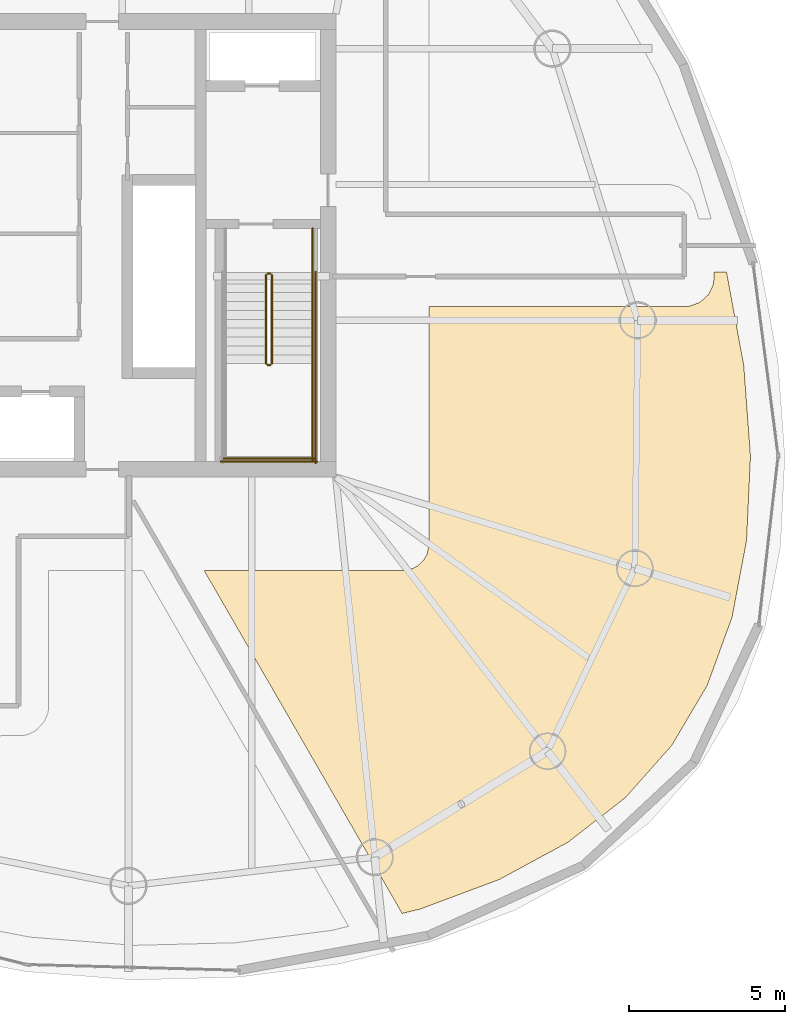
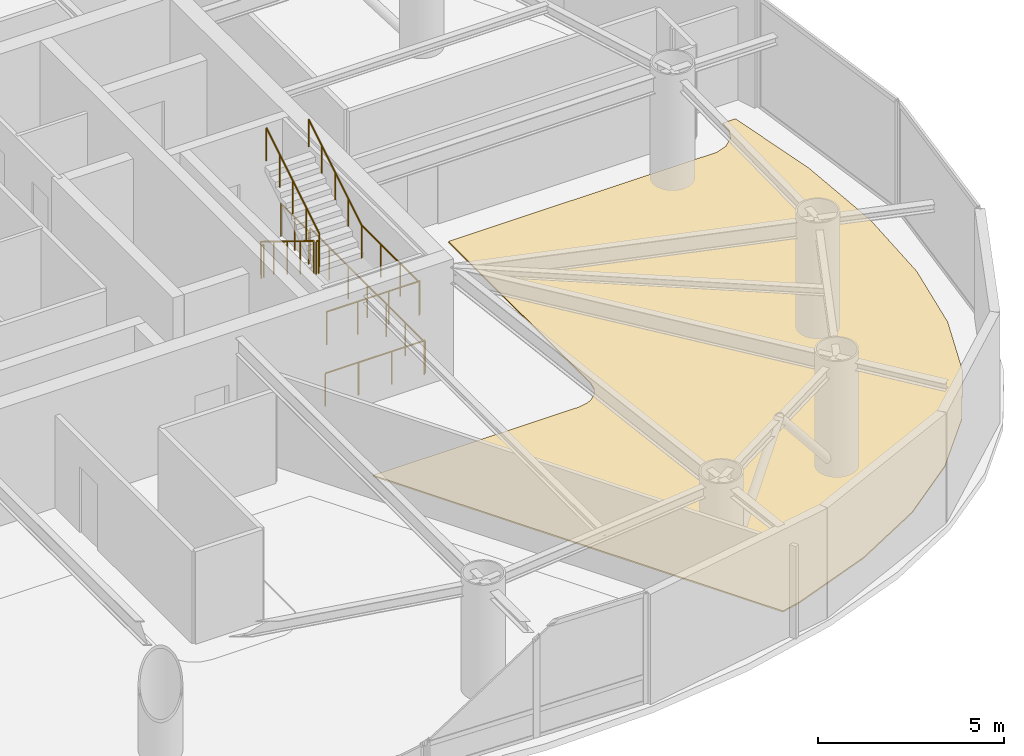
# One storey, part 19 of 20: 10 railings, 1 covering.
"""IFC4 building model written with IfcOpenShell, lengths in metres."""

from ifc_helpers import new_model, si_unit, direction, frame, origin, origin_2d, place, context, subcontext, project, spatial, polyline, circle, outline, extrude, material, layer, layer_set, type_object, element, save


model = new_model("IFC4")

# Units and contexts
model_context = context("Model", 3, precision=1e-05, world=origin(), true_north=direction((0.0, 1.0)))
body_context = subcontext(model_context, "Body", "Model", "MODEL_VIEW")
ifc_project = project(units=[si_unit("LENGTHUNIT", "METRE"), si_unit("AREAUNIT", "SQUARE_METRE"), si_unit("VOLUMEUNIT", "CUBIC_METRE"), si_unit("PLANEANGLEUNIT", "RADIAN"), si_unit("MASSUNIT", "GRAM", prefix="KILO")], contexts=[model_context])

# Site, building, storey
site_placement = place(None, origin())
site = spatial("IfcSite", under=ifc_project, at=site_placement, CompositionType="ELEMENT")
building_placement = place(site_placement, origin())
building = spatial("IfcBuilding", under=site, at=building_placement, Name="Bramvorn Convention Spire", CompositionType="ELEMENT")
storey_placement = place(building_placement, frame((0.0, 0.0, 175.050048828125)))
storey = spatial("IfcBuildingStorey", under=building, at=storey_placement, Name="L44", CompositionType="ELEMENT", Elevation=175.050048828125)

# Covering
ifc_material_1 = material(Name="Calcium-Sulphate Raised Access Office Floor", Category="steel")
ifc_layer = layer(ifc_material_1, 0.044921875)
ifc_layer_set = layer_set([ifc_layer], Name="Calcium-Sulphate Raised Access Office Floor - FLR-RAISED-45")
covering_type = type_object("IfcCoveringType", Name="FLR-RAISED-45", PredefinedType="FLOORING", material=ifc_layer_set)
covering_placement = place(storey_placement, origin())
element("IfcCovering", 1, at=covering_placement, inside=storey, type_object=covering_type, Name="L44 Staff Kitchenette 6 raised floor finish", PredefinedType="FLOORING", context=body_context, shape_type="SweptSolid", body=[
    extrude(outline(polyline([(54.506591796875, 5.6162109375), (56.712646484375, 6.813232421875), (58.55908203125, 8.248291015625), (60.046875, 9.923095703125), (61.18701171875, 11.8515625), (61.988525390625, 14.04833984375), (62.4541015625, 16.514892578125), (62.580078125, 19.2294921875), (62.36328125, 22.14794921875), (61.809814453125, 25.14990234375), (61.410888671875, 25.14990234375), (61.393798828125, 24.763916015625), (61.23291015625, 24.42333984375), (60.944580078125, 24.163818359375), (60.589111328125, 24.039794921875), (52.25, 24.030029296875), (52.25, 16.39990234375), (52.185302734375, 16.07470703125), (52.05712890625, 15.86083984375), (51.872314453125, 15.693359375), (51.725341796875, 15.61474609375), (51.39990234375, 15.550048828125), (45.014892578125, 15.550048828125), (51.37939453125, 4.526123046875), (51.96044921875, 4.666259765625), (54.506591796875, 5.6162109375)])), origin(), (0.0, 0.0, 1.0), 0.044921875),
])

# Railings
ifc_material_2 = material(Name="Painted Steel Balustrade & Guardrail", Category="steel")
railing_type_1 = type_object("IfcRailingType", Name="RL-STAIR-GUARD-1100", PredefinedType="GUARDRAIL", material=ifc_material_2)
railing_1_placement = place(storey_placement, frame((47.010009765625, 25.050048828125, 0.175048828125)))
element("IfcRailing", 2, at=railing_1_placement, inside=storey, type_object=railing_type_1, Name="L44 ST2 stair guard 1", PredefinedType="GUARDRAIL", context=body_context, shape_type="SweptSolid", body=[
    extrude(circle(Radius=0.02392578125, at=origin_2d()), frame((0.0, 0.0, 1.076171875), z_axis=(0.0, -0.852179220489, 0.52325001306), x_axis=(1.0, 0.0, 0.0)), (0.0, 0.0, 1.0), 3.344482421875),
    extrude(circle(Radius=0.02099609375, at=origin_2d()), origin(), (0.0, 0.0, 1.0), 1.052001953125),
    extrude(circle(Radius=0.02099609375, at=origin_2d()), frame((0.0, -0.71240234375, 0.4375)), (0.0, 0.0, 1.0), 1.052001953125),
    extrude(circle(Radius=0.02099609375, at=origin_2d()), frame((0.0, -1.425048828125, 0.875)), (0.0, 0.0, 1.0), 1.052001953125),
    extrude(circle(Radius=0.02099609375, at=origin_2d()), frame((0.0, -2.1376953125, 1.3125)), (0.0, 0.0, 1.0), 1.052001953125),
    extrude(circle(Radius=0.02099609375, at=origin_2d()), frame((0.0, -2.85009765625, 1.75)), (0.0, 0.0, 1.0), 1.052001953125),
])
railing_2_placement = place(storey_placement, frame((47.06005859375, 22.14990234375, 1.925048828125)))
element("IfcRailing", 3, at=railing_2_placement, inside=storey, type_object=railing_type_1, Name="L44 ST2 stair guard 2", PredefinedType="GUARDRAIL", context=body_context, shape_type="SweptSolid", body=[
    extrude(circle(Radius=0.02392578125, at=origin_2d()), frame((0.0, 0.0, 1.076171875), z_axis=(1.0, 0.0, 0.0), x_axis=(0.0, 1.0, 0.0)), (0.0, 0.0, 1.0), 0.079833984375),
    extrude(circle(Radius=0.02099609375, at=origin_2d()), origin(), (0.0, 0.0, 1.0), 1.052001953125),
    extrude(circle(Radius=0.02099609375, at=origin_2d()), frame((0.079833984375, 0.0, 0.0)), (0.0, 0.0, 1.0), 1.052001953125),
])
railing_3_placement = place(storey_placement, frame((48.5, 22.199951171875, 1.925048828125)))
element("IfcRailing", 4, at=railing_3_placement, inside=storey, type_object=railing_type_1, Name="L44 ST2 stair guard 4", PredefinedType="GUARDRAIL", context=body_context, shape_type="SweptSolid", body=[
    extrude(circle(Radius=0.02392578125, at=origin_2d()), frame((0.0, 0.0, 1.076171875), z_axis=(0.0, -1.0, 0.0), x_axis=(1.0, 0.0, 0.0)), (0.0, 0.0, 1.0), 3.099853515625),
    extrude(circle(Radius=0.02099609375, at=origin_2d()), origin(), (0.0, 0.0, 1.0), 1.052001953125),
    extrude(circle(Radius=0.02099609375, at=origin_2d()), frame((0.0, -1.033203125, 0.0)), (0.0, 0.0, 1.0), 1.052001953125),
    extrude(circle(Radius=0.02099609375, at=origin_2d()), frame((0.0, -2.066650390625, 0.0)), (0.0, 0.0, 1.0), 1.052001953125),
    extrude(circle(Radius=0.02099609375, at=origin_2d()), frame((0.0, -3.099853515625, 0.0)), (0.0, 0.0, 1.0), 1.052001953125),
])
railing_4_placement = place(storey_placement, frame((45.64990234375, 19.14990234375, 1.925048828125)))
element("IfcRailing", 5, at=railing_4_placement, inside=storey, type_object=railing_type_1, Name="L44 ST2 stair guard 5", PredefinedType="GUARDRAIL", context=body_context, shape_type="SweptSolid", body=[
    extrude(circle(Radius=0.02392578125, at=origin_2d()), frame((0.0, 0.0, 1.076171875), z_axis=(1.0, 0.0, 0.0), x_axis=(0.0, 1.0, 0.0)), (0.0, 0.0, 1.0), 2.900146484375),
    extrude(circle(Radius=0.02099609375, at=origin_2d()), origin(), (0.0, 0.0, 1.0), 1.052001953125),
    extrude(circle(Radius=0.02099609375, at=origin_2d()), frame((0.966796875, 0.0, 0.0)), (0.0, 0.0, 1.0), 1.052001953125),
    extrude(circle(Radius=0.02099609375, at=origin_2d()), frame((1.933349609375, 0.0, 0.0)), (0.0, 0.0, 1.0), 1.052001953125),
    extrude(circle(Radius=0.02099609375, at=origin_2d()), frame((2.900146484375, 0.0, 0.0)), (0.0, 0.0, 1.0), 1.052001953125),
])
railing_5_placement = place(storey_placement, frame((47.18994140625, 22.199951171875, 2.099853515625)))
element("IfcRailing", 6, at=railing_5_placement, inside=storey, type_object=railing_type_1, Name="L44 ST2 stair guard 6", PredefinedType="GUARDRAIL", context=body_context, shape_type="SweptSolid", body=[
    extrude(circle(Radius=0.02392578125, at=origin_2d()), frame((0.0, 0.0, 1.076171875), z_axis=(0.0, 0.852179220489, 0.52325001306), x_axis=(-1.0, 0.0, 0.0)), (0.0, 0.0, 1.0), 3.344482421875),
    extrude(circle(Radius=0.02099609375, at=origin_2d()), origin(), (0.0, 0.0, 1.0), 1.052001953125),
    extrude(circle(Radius=0.02099609375, at=origin_2d()), frame((0.0, 0.71240234375, 0.4375)), (0.0, 0.0, 1.0), 1.052001953125),
    extrude(circle(Radius=0.02099609375, at=origin_2d()), frame((0.0, 1.425048828125, 0.875)), (0.0, 0.0, 1.0), 1.052001953125),
    extrude(circle(Radius=0.02099609375, at=origin_2d()), frame((0.0, 2.1376953125, 1.3125)), (0.0, 0.0, 1.0), 1.052001953125),
    extrude(circle(Radius=0.02099609375, at=origin_2d()), frame((0.0, 2.85009765625, 1.75)), (0.0, 0.0, 1.0), 1.052001953125),
])
railing_6_placement = place(storey_placement, frame((47.06005859375, 25.10009765625, 0.0)))
element("IfcRailing", 7, at=railing_6_placement, inside=storey, type_object=railing_type_1, Name="L44 ST2 stair guard 7", PredefinedType="GUARDRAIL", context=body_context, shape_type="SweptSolid", body=[
    extrude(circle(Radius=0.02392578125, at=origin_2d()), frame((0.0, 0.0, 1.076171875), z_axis=(1.0, 0.0, 0.0), x_axis=(0.0, 1.0, 0.0)), (0.0, 0.0, 1.0), 0.079833984375),
    extrude(circle(Radius=0.02099609375, at=origin_2d()), origin(), (0.0, 0.0, 1.0), 1.052001953125),
    extrude(circle(Radius=0.02099609375, at=origin_2d()), frame((0.079833984375, 0.0, 0.0)), (0.0, 0.0, 1.0), 1.052001953125),
])
railing_7_placement = place(storey_placement, frame((48.5, 26.550048828125, 0.0)))
element("IfcRailing", 8, at=railing_7_placement, inside=storey, type_object=railing_type_1, Name="L44 ST2 stair guard 9", PredefinedType="GUARDRAIL", context=body_context, shape_type="SweptSolid", body=[
    extrude(circle(Radius=0.02392578125, at=origin_2d()), frame((0.0, 0.0, 1.076171875), z_axis=(0.0, -1.0, 0.0), x_axis=(1.0, 0.0, 0.0)), (0.0, 0.0, 1.0), 1.5),
    extrude(circle(Radius=0.02099609375, at=origin_2d()), origin(), (0.0, 0.0, 1.0), 1.052001953125),
    extrude(circle(Radius=0.02099609375, at=origin_2d()), frame((0.0, -0.75, 0.0)), (0.0, 0.0, 1.0), 1.052001953125),
    extrude(circle(Radius=0.02099609375, at=origin_2d()), frame((0.0, -1.5, 0.0)), (0.0, 0.0, 1.0), 1.052001953125),
])
railing_8_placement = place(storey_placement, frame((48.60009765625, 25.14990234375, 0.0)))
element("IfcRailing", 9, at=railing_8_placement, inside=storey, type_object=railing_type_1, Name="L44 ST2 stair guard 11", PredefinedType="GUARDRAIL", context=body_context, shape_type="SweptSolid", body=[
    extrude(circle(Radius=0.02392578125, at=origin_2d()), frame((0.0, 0.0, 1.076171875), z_axis=(0.0, -1.0, 0.0), x_axis=(1.0, 0.0, 0.0)), (0.0, 0.0, 1.0), 6.14990234375),
    extrude(circle(Radius=0.02099609375, at=origin_2d()), origin(), (0.0, 0.0, 1.0), 1.052001953125),
    extrude(circle(Radius=0.02099609375, at=origin_2d()), frame((0.0, -1.02490234375, 0.0)), (0.0, 0.0, 1.0), 1.052001953125),
    extrude(circle(Radius=0.02099609375, at=origin_2d()), frame((0.0, -2.050048828125, 0.0)), (0.0, 0.0, 1.0), 1.052001953125),
    extrude(circle(Radius=0.02099609375, at=origin_2d()), frame((0.0, -3.074951171875, 0.0)), (0.0, 0.0, 1.0), 1.052001953125),
    extrude(circle(Radius=0.02099609375, at=origin_2d()), frame((0.0, -4.099853515625, 0.0)), (0.0, 0.0, 1.0), 1.052001953125),
    extrude(circle(Radius=0.02099609375, at=origin_2d()), frame((0.0, -5.125, 0.0)), (0.0, 0.0, 1.0), 1.052001953125),
    extrude(circle(Radius=0.02099609375, at=origin_2d()), frame((0.0, -6.14990234375, 0.0)), (0.0, 0.0, 1.0), 1.052001953125),
])
railing_9_placement = place(storey_placement, frame((45.550048828125, 19.050048828125, 0.0)))
element("IfcRailing", 10, at=railing_9_placement, inside=storey, type_object=railing_type_1, Name="L44 ST2 stair guard 12", PredefinedType="GUARDRAIL", context=body_context, shape_type="SweptSolid", body=[
    extrude(circle(Radius=0.02392578125, at=origin_2d()), frame((0.0, 0.0, 1.076171875), z_axis=(1.0, 0.0, 0.0), x_axis=(0.0, 1.0, 0.0)), (0.0, 0.0, 1.0), 3.099853515625),
    extrude(circle(Radius=0.02099609375, at=origin_2d()), origin(), (0.0, 0.0, 1.0), 1.052001953125),
    extrude(circle(Radius=0.02099609375, at=origin_2d()), frame((1.033203125, 0.0, 0.0)), (0.0, 0.0, 1.0), 1.052001953125),
    extrude(circle(Radius=0.02099609375, at=origin_2d()), frame((2.066650390625, 0.0, 0.0)), (0.0, 0.0, 1.0), 1.052001953125),
    extrude(circle(Radius=0.02099609375, at=origin_2d()), frame((3.099853515625, 0.0, 0.0)), (0.0, 0.0, 1.0), 1.052001953125),
])
ifc_material_3 = material(Name="Brushed Bronze Tubular Handrail", Category="aluminium")
railing_type_2 = type_object("IfcRailingType", Name="RL-STAIR-HR-920", PredefinedType="HANDRAIL", material=ifc_material_3)
railing_10_placement = place(storey_placement, frame((48.5, 22.199951171875, 2.099853515625)))
element("IfcRailing", 11, at=railing_10_placement, inside=storey, type_object=railing_type_2, Name="L44 ST2 stair handrail 2", PredefinedType="HANDRAIL", context=body_context, shape_type="SweptSolid", body=[
    extrude(circle(Radius=0.02392578125, at=origin_2d()), frame((0.0, 0.0, 0.89599609375), z_axis=(0.0, 0.852179220489, 0.52325001306), x_axis=(-1.0, 0.0, 0.0)), (0.0, 0.0, 1.0), 3.344482421875),
    extrude(circle(Radius=0.02099609375, at=origin_2d()), origin(), (0.0, 0.0, 1.0), 0.871826171875),
    extrude(circle(Radius=0.02099609375, at=origin_2d()), frame((0.0, 0.71240234375, 0.4375)), (0.0, 0.0, 1.0), 0.871826171875),
    extrude(circle(Radius=0.02099609375, at=origin_2d()), frame((0.0, 1.425048828125, 0.875)), (0.0, 0.0, 1.0), 0.871826171875),
    extrude(circle(Radius=0.02099609375, at=origin_2d()), frame((0.0, 2.1376953125, 1.3125)), (0.0, 0.0, 1.0), 0.871826171875),
    extrude(circle(Radius=0.02099609375, at=origin_2d()), frame((0.0, 2.85009765625, 1.75)), (0.0, 0.0, 1.0), 0.871826171875),
])

save(model, "model.ifc")
